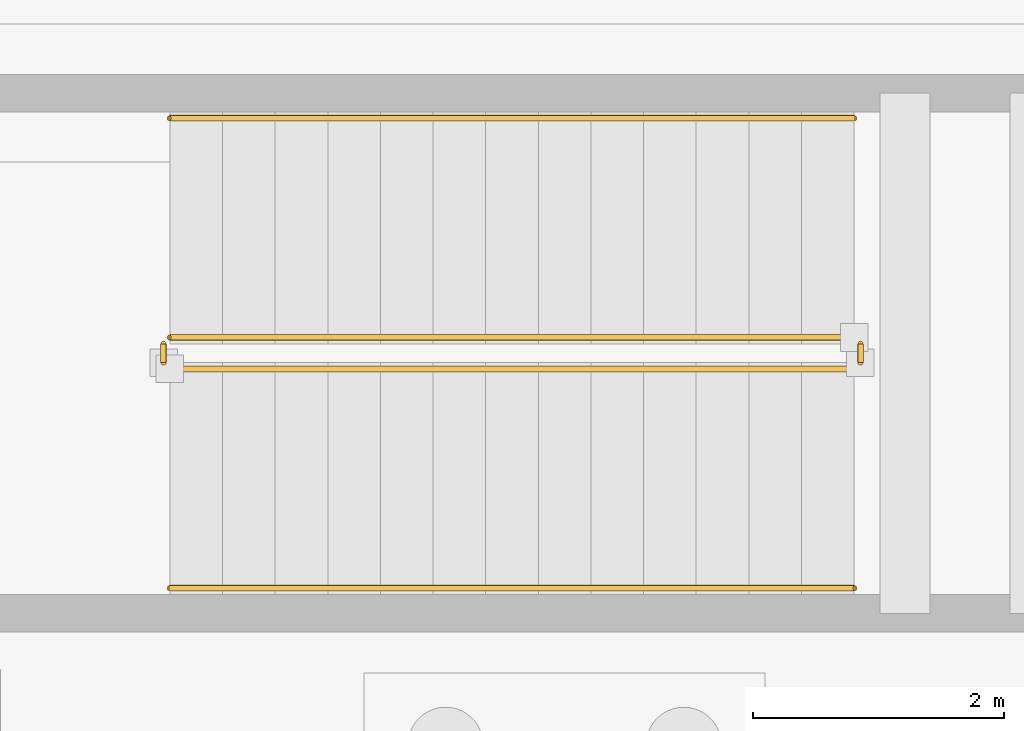
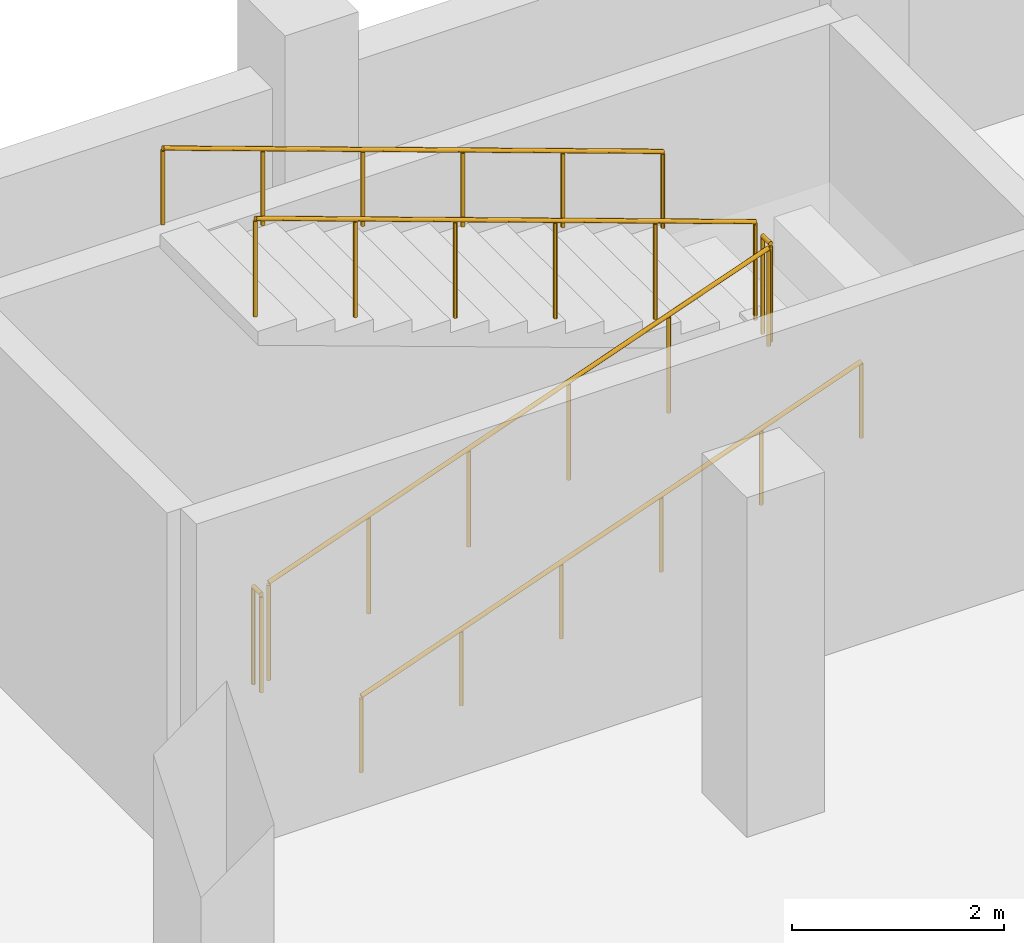
# One storey, part 24 of 28: 6 railings.
"""IFC4 building model written with IfcOpenShell, lengths in metres."""

from ifc_helpers import new_model, si_unit, direction, frame, origin, origin_2d, place, context, subcontext, project, spatial, circle, extrude, material, layer, layer_set, type_object, element, save


model = new_model("IFC4")

# Units and contexts
model_context = context("Model", 3, precision=1e-05, world=origin(), true_north=direction((0.0, 1.0)))
body_context = subcontext(model_context, "Body", "Model", "MODEL_VIEW")
ifc_project = project(units=[si_unit("LENGTHUNIT", "METRE"), si_unit("AREAUNIT", "SQUARE_METRE"), si_unit("VOLUMEUNIT", "CUBIC_METRE"), si_unit("PLANEANGLEUNIT", "RADIAN"), si_unit("MASSUNIT", "GRAM", prefix="KILO")], contexts=[model_context])

# Site, building, storey
site_placement = place(None, origin())
site = spatial("IfcSite", under=ifc_project, at=site_placement, CompositionType="ELEMENT")
building_placement = place(site_placement, origin())
building = spatial("IfcBuilding", under=site, at=building_placement, Name="Varnakota Cinema and Media Centre", CompositionType="ELEMENT")
storey_placement = place(building_placement, frame((0.0, 0.0, -4.199951171875)))
storey = spatial("IfcBuildingStorey", under=building, at=storey_placement, Name="B1", CompositionType="ELEMENT", Elevation=-4.199951171875)

# Railings
ifc_material_1 = material(Name="Structural steel Grade 350 (E350)", Category="steel")
ifc_layer_1 = layer(ifc_material_1, 0.050048828125)
ifc_layer_set_1 = layer_set([ifc_layer_1], Name="Structural steel Grade 350 (E350)")
railing_type_1 = type_object("IfcRailingType", Name="RAIL-STAIR-GUARD-1150", PredefinedType="GUARDRAIL", material=ifc_layer_set_1)
railing_1_placement = place(storey_placement, frame((89.85009765625, 39.10009765625, 0.14990234375)))
element("IfcRailing", 1, at=railing_1_placement, inside=storey, type_object=railing_type_1, Name="B1 ST-B2 stair guard 1", PredefinedType="GUARDRAIL", context=body_context, shape_type="SweptSolid", body=[
    extrude(circle(Radius=0.02392578125, at=origin_2d()), frame((0.0, 0.0, 1.1259765625), z_axis=(0.941743817001, 0.0, 0.336331061813), x_axis=(0.0, 1.0, 0.0)), (0.0, 0.0, 1.0), 5.797607421875),
    extrude(circle(Radius=0.02099609375, at=origin_2d()), origin(), (0.0, 0.0, 1.0), 1.101806640625),
    extrude(circle(Radius=0.02099609375, at=origin_2d()), frame((1.092041015625, 0.0, 0.389892578125)), (0.0, 0.0, 1.0), 1.101806640625),
    extrude(circle(Radius=0.02099609375, at=origin_2d()), frame((2.18408203125, 0.0, 0.780029296875)), (0.0, 0.0, 1.0), 1.101806640625),
    extrude(circle(Radius=0.02099609375, at=origin_2d()), frame((3.27587890625, 0.0, 1.169921875)), (0.0, 0.0, 1.0), 1.101806640625),
    extrude(circle(Radius=0.02099609375, at=origin_2d()), frame((4.367919921875, 0.0, 1.56005859375)), (0.0, 0.0, 1.0), 1.101806640625),
    extrude(circle(Radius=0.02099609375, at=origin_2d()), frame((5.4599609375, 0.0, 1.949951171875)), (0.0, 0.0, 1.0), 1.101806640625),
])
railing_2_placement = place(storey_placement, frame((95.360107421875, 39.14990234375, 2.099853515625)))
element("IfcRailing", 2, at=railing_2_placement, inside=storey, type_object=railing_type_1, Name="B1 ST-B2 stair guard 2", PredefinedType="GUARDRAIL", context=body_context, shape_type="SweptSolid", body=[
    extrude(circle(Radius=0.02392578125, at=origin_2d()), frame((0.0, 0.0, 1.1259765625), z_axis=(0.0, 1.0, 0.0), x_axis=(-1.0, 0.0, 0.0)), (0.0, 0.0, 1.0), 0.150146484375),
    extrude(circle(Radius=0.02099609375, at=origin_2d()), origin(), (0.0, 0.0, 1.0), 1.101806640625),
    extrude(circle(Radius=0.02099609375, at=origin_2d()), frame((0.0, 0.150146484375, 0.0)), (0.0, 0.0, 1.0), 1.101806640625),
])
railing_3_placement = place(storey_placement, frame((95.31005859375, 39.35009765625, 2.25)))
element("IfcRailing", 3, at=railing_3_placement, inside=storey, type_object=railing_type_1, Name="B1 ST-B2 stair guard 3", PredefinedType="GUARDRAIL", context=body_context, shape_type="SweptSolid", body=[
    extrude(circle(Radius=0.02392578125, at=origin_2d()), frame((0.0, 0.0, 1.1259765625), z_axis=(-0.941743817001, 0.0, 0.336331061813), x_axis=(0.0, -1.0, 0.0)), (0.0, 0.0, 1.0), 5.797607421875),
    extrude(circle(Radius=0.02099609375, at=origin_2d()), origin(), (0.0, 0.0, 1.0), 1.101806640625),
    extrude(circle(Radius=0.02099609375, at=origin_2d()), frame((-1.092041015625, 0.0, 0.389892578125)), (0.0, 0.0, 1.0), 1.101806640625),
    extrude(circle(Radius=0.02099609375, at=origin_2d()), frame((-2.18408203125, 0.0, 0.780029296875)), (0.0, 0.0, 1.0), 1.101806640625),
    extrude(circle(Radius=0.02099609375, at=origin_2d()), frame((-3.27587890625, 0.0, 1.169921875)), (0.0, 0.0, 1.0), 1.101806640625),
    extrude(circle(Radius=0.02099609375, at=origin_2d()), frame((-4.367919921875, 0.0, 1.56005859375)), (0.0, 0.0, 1.0), 1.101806640625),
    extrude(circle(Radius=0.02099609375, at=origin_2d()), frame((-5.4599609375, 0.0, 1.949951171875)), (0.0, 0.0, 1.0), 1.101806640625),
])
railing_4_placement = place(storey_placement, frame((89.800048828125, 39.14990234375, 0.0)))
element("IfcRailing", 4, at=railing_4_placement, inside=storey, type_object=railing_type_1, Name="B1 ST-B2 stair guard 4", PredefinedType="GUARDRAIL", context=body_context, shape_type="SweptSolid", body=[
    extrude(circle(Radius=0.02392578125, at=origin_2d()), frame((0.0, 0.0, 1.1259765625), z_axis=(0.0, 1.0, 0.0), x_axis=(-1.0, 0.0, 0.0)), (0.0, 0.0, 1.0), 0.150146484375),
    extrude(circle(Radius=0.02099609375, at=origin_2d()), origin(), (0.0, 0.0, 1.0), 1.101806640625),
    extrude(circle(Radius=0.02099609375, at=origin_2d()), frame((0.0, 0.150146484375, 0.0)), (0.0, 0.0, 1.0), 1.101806640625),
])
ifc_material_2 = material(Name="Structural steel Grade 350 (E350)", Category="steel")
ifc_layer_2 = layer(ifc_material_2, 0.048095703125)
ifc_layer_set_2 = layer_set([ifc_layer_2], Name="Structural steel Grade 350 (E350)")
railing_type_2 = type_object("IfcRailingType", Name="RAIL-STAIR-HAND-900", PredefinedType="HANDRAIL", material=ifc_layer_set_2)
railing_5_placement = place(storey_placement, frame((89.85009765625, 37.35009765625, 0.14990234375)))
element("IfcRailing", 5, at=railing_5_placement, inside=storey, type_object=railing_type_2, Name="B1 ST-B2 stair handrail 1", PredefinedType="HANDRAIL", context=body_context, shape_type="SweptSolid", body=[
    extrude(circle(Radius=0.02392578125, at=origin_2d()), frame((0.0, 0.0, 0.8759765625), z_axis=(0.941743817001, 0.0, 0.336331061813), x_axis=(0.0, 1.0, 0.0)), (0.0, 0.0, 1.0), 5.797607421875),
    extrude(circle(Radius=0.02099609375, at=origin_2d()), origin(), (0.0, 0.0, 1.0), 0.851806640625),
    extrude(circle(Radius=0.02099609375, at=origin_2d()), frame((1.092041015625, 0.0, 0.389892578125)), (0.0, 0.0, 1.0), 0.851806640625),
    extrude(circle(Radius=0.02099609375, at=origin_2d()), frame((2.18408203125, 0.0, 0.780029296875)), (0.0, 0.0, 1.0), 0.851806640625),
    extrude(circle(Radius=0.02099609375, at=origin_2d()), frame((3.27587890625, 0.0, 1.169921875)), (0.0, 0.0, 1.0), 0.851806640625),
    extrude(circle(Radius=0.02099609375, at=origin_2d()), frame((4.367919921875, 0.0, 1.56005859375)), (0.0, 0.0, 1.0), 0.851806640625),
    extrude(circle(Radius=0.02099609375, at=origin_2d()), frame((5.4599609375, 0.0, 1.949951171875)), (0.0, 0.0, 1.0), 0.851806640625),
])
railing_6_placement = place(storey_placement, frame((95.31005859375, 41.10009765625, 2.25)))
element("IfcRailing", 6, at=railing_6_placement, inside=storey, type_object=railing_type_2, Name="B1 ST-B2 stair handrail 2", PredefinedType="HANDRAIL", context=body_context, shape_type="SweptSolid", body=[
    extrude(circle(Radius=0.02392578125, at=origin_2d()), frame((0.0, 0.0, 0.8759765625), z_axis=(-0.941743817001, 0.0, 0.336331061813), x_axis=(0.0, -1.0, 0.0)), (0.0, 0.0, 1.0), 5.797607421875),
    extrude(circle(Radius=0.02099609375, at=origin_2d()), origin(), (0.0, 0.0, 1.0), 0.851806640625),
    extrude(circle(Radius=0.02099609375, at=origin_2d()), frame((-1.092041015625, 0.0, 0.389892578125)), (0.0, 0.0, 1.0), 0.851806640625),
    extrude(circle(Radius=0.02099609375, at=origin_2d()), frame((-2.18408203125, 0.0, 0.780029296875)), (0.0, 0.0, 1.0), 0.851806640625),
    extrude(circle(Radius=0.02099609375, at=origin_2d()), frame((-3.27587890625, 0.0, 1.169921875)), (0.0, 0.0, 1.0), 0.851806640625),
    extrude(circle(Radius=0.02099609375, at=origin_2d()), frame((-4.367919921875, 0.0, 1.56005859375)), (0.0, 0.0, 1.0), 0.851806640625),
    extrude(circle(Radius=0.02099609375, at=origin_2d()), frame((-5.4599609375, 0.0, 1.949951171875)), (0.0, 0.0, 1.0), 0.851806640625),
])

save(model, "model.ifc")
